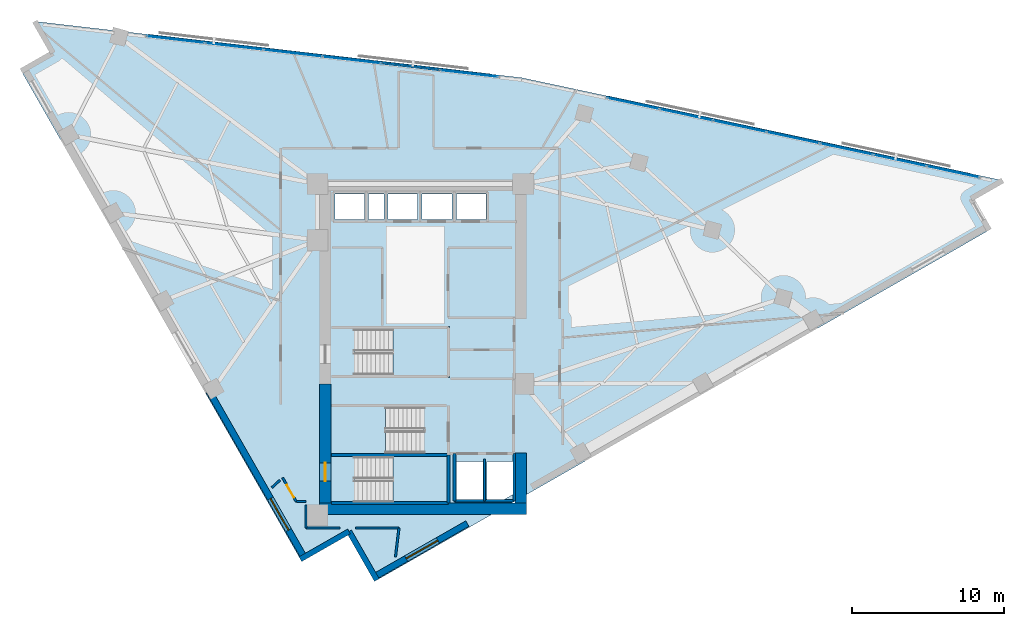
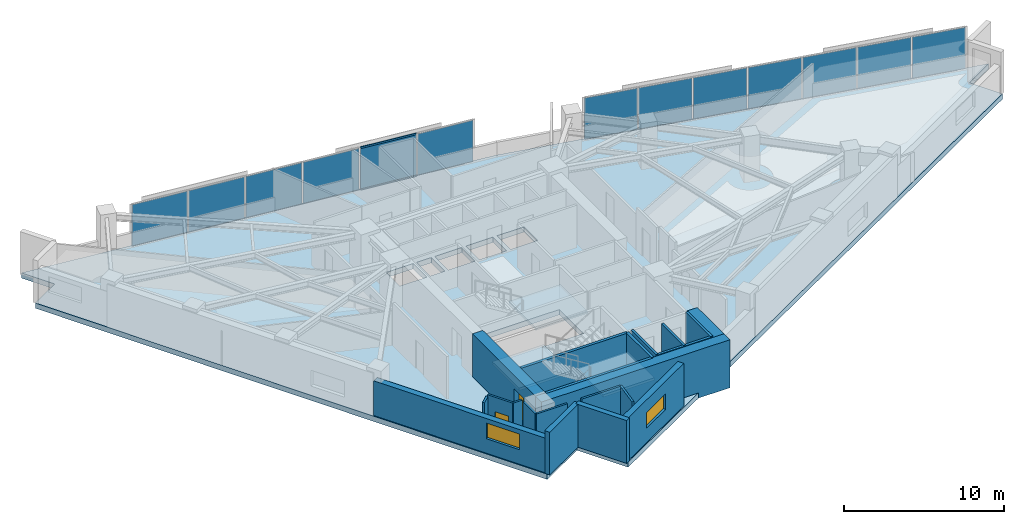
# One storey, part 8 of 13: 21 walls, 15 plates, 4 slabs, 2 doors, 2 members, 2 windows, 4 openings, 5 elements without a shape of their own.
"""IFC4 building model written with IfcOpenShell, lengths in metres."""

from ifc_helpers import new_model, si_unit, direction, frame, frame_2d, origin, origin_2d, place, context, subcontext, project, spatial, polyline, rectangle, hollow_rectangle, outline, extrude, material, layer, layer_set, material_profile, profile_set, type_object, element, fill, aggregate, save


model = new_model("IFC4")

# Units and contexts
model_context = context("Model", 3, precision=1e-05, world=origin(), true_north=direction((0.0, 1.0)))
body_context = subcontext(model_context, "Body", "Model", "MODEL_VIEW")
ifc_project = project(units=[si_unit("LENGTHUNIT", "METRE"), si_unit("AREAUNIT", "SQUARE_METRE"), si_unit("VOLUMEUNIT", "CUBIC_METRE"), si_unit("PLANEANGLEUNIT", "RADIAN"), si_unit("MASSUNIT", "GRAM", prefix="KILO")], contexts=[model_context])

# Site, building, storey
site_placement = place(None, origin())
site = spatial("IfcSite", under=ifc_project, at=site_placement, CompositionType="ELEMENT")
building_placement = place(site_placement, origin())
building = spatial("IfcBuilding", under=site, at=building_placement, Name="Narakoshi Arena Tower", CompositionType="ELEMENT")
storey_placement = place(building_placement, frame((0.0, 0.0, 200.89990234375)))
storey = spatial("IfcBuildingStorey", under=building, at=storey_placement, Name="L54", CompositionType="ELEMENT", Elevation=200.89990234375)

# Curtain wall, members
ifc_material_1 = material(Name="Anodised bronze aluminium 6063-T6", Category="aluminium")
curtain_wall_type = type_object("IfcCurtainWallType", Name="CW-HYP-MID", PredefinedType="NOTDEFINED", material=ifc_material_1)
curtain_wall_1_placement = place(storey_placement, origin())
curtain_wall_1 = element("IfcCurtainWall", 1, at=curtain_wall_1_placement, inside=storey, type_object=curtain_wall_type, Name="L54 Folded Hypotenuse Curtain Wall 2-1", PredefinedType="NOTDEFINED")
ifc_material_profile = material_profile(ifc_material_1, hollow_rectangle(XDim=0.06494140625, YDim=0.1298828125, WallThickness=0.00390625, OuterFilletRadius=0.0048828125, at=origin_2d()), Name="TRN130x65x4")
ifc_profile_set = profile_set([ifc_material_profile], Name="Anodised bronze aluminium 6063-T6")
member_type = type_object("IfcMemberType", Name="MEM-TRN-130", PredefinedType="USERDEFINED", material=ifc_profile_set)
member_1_placement = place(storey_placement, frame((80.032470703125, 64.002685546875, 0.03271484375), z_axis=(-0.993360986362, 0.115038909828, 0.0), x_axis=(-0.115038909828, -0.993360986362, 0.0)))
member_1 = element("IfcMember", 2, at=member_1_placement, type_object=member_type, Name="CW-02 transom 2.1", ObjectType="TRANSOM", PredefinedType="USERDEFINED", context=body_context, shape_type="SweptSolid", body=[
    extrude(hollow_rectangle(XDim=0.06494140625, YDim=0.1298828125, WallThickness=0.00390625, OuterFilletRadius=0.0048828125, at=origin_2d()), origin(), (0.0, 0.0, 1.0), 3.820068359375),
])
member_2_placement = place(storey_placement, frame((80.032470703125, 64.002685546875, 3.2275390625), z_axis=(-0.993360986362, 0.115038909828, 0.0), x_axis=(-0.115038909828, -0.993360986362, 0.0)))
member_2 = element("IfcMember", 3, at=member_2_placement, type_object=member_type, Name="CW-02 transom 2.2", ObjectType="TRANSOM", PredefinedType="USERDEFINED", context=body_context, shape_type="SweptSolid", body=[
    extrude(hollow_rectangle(XDim=0.06494140625, YDim=0.1298828125, WallThickness=0.00390625, OuterFilletRadius=0.0048828125, at=origin_2d()), origin(), (0.0, 0.0, 1.0), 3.820068359375),
])

# Curtain wall, plates
curtain_wall_2_placement = place(storey_placement, origin())
curtain_wall_2 = element("IfcCurtainWall", 4, at=curtain_wall_2_placement, inside=storey, type_object=curtain_wall_type, Name="L54 Folded Hypotenuse Curtain Wall 1-1", PredefinedType="NOTDEFINED")
ifc_material_2 = material(Name="Bronze-tinted low-E laminated glass", Category="glass")
ifc_layer_1 = layer(ifc_material_2, 0.0380859375)
ifc_layer_set_1 = layer_set([ifc_layer_1], Name="Bronze-tinted low-E laminated glass")
plate_type_1 = type_object("IfcPlateType", Name="PLT-GLZ-38", PredefinedType="CURTAIN_PANEL", material=ifc_layer_set_1)
plate_1_placement = place(storey_placement, frame((113.835205078125, 57.3095703125, 0.065185546875), z_axis=(0.0, 0.0, 1.0), x_axis=(-0.977937185914, 0.208899163248, 0.0)))
plate_1 = element("IfcPlate", 5, at=plate_1_placement, type_object=plate_type_1, Name="CW-02 panel 1.1", PredefinedType="CURTAIN_PANEL", context=body_context, shape_type="SweptSolid", body=[
    extrude(rectangle(XDim=3.48095703125, YDim=0.0380859375, at=origin_2d()), origin(), (0.0, 0.0, 1.0), 3.1298828125),
])
plate_2_placement = place(storey_placement, frame((110.33935546875, 58.056396484375, 0.065185546875), z_axis=(0.0, 0.0, 1.0), x_axis=(-0.977937185914, 0.208899163248, 0.0)))
plate_2 = element("IfcPlate", 6, at=plate_2_placement, type_object=plate_type_1, Name="CW-02 panel 2.1", PredefinedType="CURTAIN_PANEL", context=body_context, shape_type="SweptSolid", body=[
    extrude(rectangle(XDim=3.518310546875, YDim=0.0380859375, at=origin_2d()), origin(), (0.0, 0.0, 1.0), 3.1298828125),
])
plate_3_placement = place(storey_placement, frame((106.8251953125, 58.806884765625, 0.065185546875), z_axis=(0.0, 0.0, 1.0), x_axis=(-0.977937185914, 0.208899163248, 0.0)))
plate_3 = element("IfcPlate", 7, at=plate_3_placement, type_object=plate_type_1, Name="CW-02 panel 3.1", PredefinedType="CURTAIN_PANEL", context=body_context, shape_type="SweptSolid", body=[
    extrude(rectangle(XDim=3.518310546875, YDim=0.0380859375, at=origin_2d()), origin(), (0.0, 0.0, 1.0), 3.1298828125),
])
plate_4_placement = place(storey_placement, frame((103.31103515625, 59.5576171875, 0.065185546875), z_axis=(0.0, 0.0, 1.0), x_axis=(-0.977937185914, 0.208899163248, 0.0)))
plate_4 = element("IfcPlate", 8, at=plate_4_placement, type_object=plate_type_1, Name="CW-02 panel 4.1", PredefinedType="CURTAIN_PANEL", context=body_context, shape_type="SweptSolid", body=[
    extrude(rectangle(XDim=3.518310546875, YDim=0.0380859375, at=origin_2d()), origin(), (0.0, 0.0, 1.0), 3.1298828125),
])
plate_5_placement = place(storey_placement, frame((99.796875, 60.308349609375, 0.065185546875), z_axis=(0.0, 0.0, 1.0), x_axis=(-0.977937185914, 0.208899163248, 0.0)))
plate_5 = element("IfcPlate", 9, at=plate_5_placement, type_object=plate_type_1, Name="CW-02 panel 5.1", PredefinedType="CURTAIN_PANEL", context=body_context, shape_type="SweptSolid", body=[
    extrude(rectangle(XDim=3.518310546875, YDim=0.0380859375, at=origin_2d()), origin(), (0.0, 0.0, 1.0), 3.1298828125),
])
plate_6_placement = place(storey_placement, frame((96.282958984375, 61.058837890625, 0.065185546875), z_axis=(0.0, 0.0, 1.0), x_axis=(-0.977937185914, 0.208899163248, 0.0)))
plate_6 = element("IfcPlate", 10, at=plate_6_placement, type_object=plate_type_1, Name="CW-02 panel 6.1", PredefinedType="CURTAIN_PANEL", context=body_context, shape_type="SweptSolid", body=[
    extrude(rectangle(XDim=3.518310546875, YDim=0.0380859375, at=origin_2d()), origin(), (0.0, 0.0, 1.0), 3.1298828125),
])
plate_7_placement = place(storey_placement, frame((92.787109375, 61.8056640625, 0.065185546875), z_axis=(0.0, 0.0, 1.0), x_axis=(-0.977937185914, 0.208899163248, 0.0)))
plate_7 = element("IfcPlate", 11, at=plate_7_placement, type_object=plate_type_1, Name="CW-02 panel 7.1", PredefinedType="CURTAIN_PANEL", context=body_context, shape_type="SweptSolid", body=[
    extrude(rectangle(XDim=3.48095703125, YDim=0.0380859375, at=origin_2d()), origin(), (0.0, 0.0, 1.0), 3.1298828125),
])
aggregate(curtain_wall_2, [plate_1, plate_2, plate_3, plate_4, plate_5, plate_6, plate_7])

# Plate
plate_8_placement = place(storey_placement, frame((81.985595703125, 63.776611328125, 0.065185546875), z_axis=(0.0, 0.0, 1.0), x_axis=(-0.993364183774, 0.115011296816, 0.0)))
plate_8 = element("IfcPlate", 12, at=plate_8_placement, type_object=plate_type_1, Name="CW-02 panel 1.1", PredefinedType="CURTAIN_PANEL", context=body_context, shape_type="SweptSolid", body=[
    extrude(rectangle(XDim=3.782470703125, YDim=0.0380859375, at=origin_2d()), origin(), (0.0, 0.0, 1.0), 3.1298828125),
])

plate_9_placement = place(storey_placement, frame((78.13525390625, 64.222412109375, 0.065185546875), z_axis=(0.0, 0.0, 1.0), x_axis=(-0.993364183774, 0.115011296816, 0.0)))
plate_9 = element("IfcPlate", 13, at=plate_9_placement, type_object=plate_type_1, Name="CW-02 panel 2.1", PredefinedType="CURTAIN_PANEL", context=body_context, shape_type="SweptSolid", body=[
    extrude(rectangle(XDim=3.820068359375, YDim=0.0380859375, at=origin_2d()), origin(), (0.0, 0.0, 1.0), 3.1298828125),
])

plate_10_placement = place(storey_placement, frame((74.26611328125, 64.67041015625, 0.065185546875), z_axis=(0.0, 0.0, 1.0), x_axis=(-0.993364183774, 0.115011296816, 0.0)))
plate_10 = element("IfcPlate", 14, at=plate_10_placement, type_object=plate_type_1, Name="CW-02 panel 3.1", PredefinedType="CURTAIN_PANEL", context=body_context, shape_type="SweptSolid", body=[
    extrude(rectangle(XDim=3.820068359375, YDim=0.0380859375, at=origin_2d()), origin(), (0.0, 0.0, 1.0), 3.1298828125),
])

plate_11_placement = place(storey_placement, frame((70.39697265625, 65.118408203125, 0.065185546875), z_axis=(0.0, 0.0, 1.0), x_axis=(-0.993364183774, 0.115011296816, 0.0)))
plate_11 = element("IfcPlate", 15, at=plate_11_placement, type_object=plate_type_1, Name="CW-02 panel 4.1", PredefinedType="CURTAIN_PANEL", context=body_context, shape_type="SweptSolid", body=[
    extrude(rectangle(XDim=3.820068359375, YDim=0.0380859375, at=origin_2d()), origin(), (0.0, 0.0, 1.0), 3.1298828125),
])

plate_12_placement = place(storey_placement, frame((66.52783203125, 65.56640625, 0.065185546875), z_axis=(0.0, 0.0, 1.0), x_axis=(-0.993364183774, 0.115011296816, 0.0)))
plate_12 = element("IfcPlate", 16, at=plate_12_placement, type_object=plate_type_1, Name="CW-02 panel 5.1", PredefinedType="CURTAIN_PANEL", context=body_context, shape_type="SweptSolid", body=[
    extrude(rectangle(XDim=3.820068359375, YDim=0.0380859375, at=origin_2d()), origin(), (0.0, 0.0, 1.0), 3.1298828125),
])

plate_13_placement = place(storey_placement, frame((62.67724609375, 66.01220703125, 0.065185546875), z_axis=(0.0, 0.0, 1.0), x_axis=(-0.993364183774, 0.115011296816, 0.0)))
plate_13 = element("IfcPlate", 17, at=plate_13_placement, type_object=plate_type_1, Name="CW-02 panel 6.1", PredefinedType="CURTAIN_PANEL", context=body_context, shape_type="SweptSolid", body=[
    extrude(rectangle(XDim=3.782470703125, YDim=0.0380859375, at=origin_2d()), origin(), (0.0, 0.0, 1.0), 3.1298828125),
])

aggregate(curtain_wall_1, [plate_8, member_1, member_2, plate_9, plate_10, plate_11, plate_12, plate_13])

# Plates
ifc_layer_2 = layer(ifc_material_1, 0.090087890625)
ifc_layer_set_2 = layer_set([ifc_layer_2], Name="Anodised bronze aluminium 6063-T6")
plate_type_2 = type_object("IfcPlateType", Name="PLT-SPD-90", PredefinedType="SHEET", material=ifc_layer_set_2)
plate_14_placement = place(storey_placement, frame((103.10791015625, 59.682861328125, -0.369873046875), z_axis=(0.0, 0.0, 1.0), x_axis=(-0.977936632473, 0.208901754101, 0.0)))
element("IfcPlate", 18, at=plate_14_placement, inside=storey, type_object=plate_type_2, Name="L54 Transfer Fascia Bronze Spandrel Panel 1", PredefinedType="SHEET", context=body_context, shape_type="SweptSolid", body=[
    extrude(rectangle(XDim=24.40380859375, YDim=0.090087890625, at=origin_2d()), origin(), (0.0, 0.0, 1.0), 0.3798828125),
])
plate_15_placement = place(storey_placement, frame((72.1171875, 64.999755859375, -0.369873046875), z_axis=(0.0, 0.0, 1.0), x_axis=(-0.993364739053, 0.115006500715, 0.0)))
element("IfcPlate", 19, at=plate_15_placement, inside=storey, type_object=plate_type_2, Name="L54 Transfer Fascia Bronze Spandrel Panel 2", PredefinedType="SHEET", context=body_context, shape_type="SweptSolid", body=[
    extrude(rectangle(XDim=22.619873046875, YDim=0.090087890625, at=origin_2d()), origin(), (0.0, 0.0, 1.0), 0.3798828125),
])

# Slab
ifc_material_3 = material(Name="Concrete C45/55", Category="concrete")
ifc_layer_3 = layer(ifc_material_3, 0.39990234375)
ifc_layer_set_3 = layer_set([ifc_layer_3], Name="Concrete C45/55")
slab_type_1 = type_object("IfcSlabType", Name="SLB-CONC-400", PredefinedType="FLOOR", material=ifc_layer_set_3)
slab_1_placement = place(storey_placement, frame((0.0, 0.0, -0.39990234375)))
element("IfcSlab", 20, at=slab_1_placement, inside=storey, type_object=slab_type_1, Name="L54 Structural Floor Slab", PredefinedType="FLOOR", context=body_context, shape_type="SweptSolid", body=[
    extrude(outline(polyline([(75.915771484375, 30.43017578125), (116.209716796875, 53.460205078125), (115.01904296875, 55.54345703125), (117.1025390625, 56.734375), (85.442626953125, 63.497314453125), (53.408203125, 67.2060546875), (54.59912109375, 65.122802734375), (52.515625, 63.931884765625), (70.87841796875, 31.803466796875), (74.083740234375, 33.635498046875), (75.915771484375, 30.43017578125)]), holes=[polyline([(80.5, 35.550048828125), (74.47998046875, 35.550048828125), (74.47998046875, 38.550048828125), (80.5, 38.550048828125), (80.5, 35.550048828125)]), polyline([(82.89990234375, 35.75), (81.14990234375, 35.75), (81.14990234375, 38.25), (82.89990234375, 38.25), (82.89990234375, 35.75)]), polyline([(84.89990234375, 36.08349609375), (84.316650390625, 35.75), (83.14990234375, 35.75), (83.14990234375, 38.25), (84.89990234375, 38.25), (84.89990234375, 36.08349609375)]), polyline([(72.949951171875, 38.800048828125), (72.949951171875, 41.800048828125), (78.969970703125, 41.800048828125), (78.969970703125, 38.800048828125), (72.949951171875, 38.800048828125)]), polyline([(74.47998046875, 43.949951171875), (74.47998046875, 46.949951171875), (80.5, 46.949951171875), (80.5, 43.949951171875), (74.47998046875, 43.949951171875)]), polyline([(75.10009765625, 54.14990234375), (73.14990234375, 54.14990234375), (73.14990234375, 55.85009765625), (75.10009765625, 55.85009765625), (75.10009765625, 54.14990234375)]), polyline([(76.39990234375, 54.14990234375), (75.35009765625, 54.14990234375), (75.35009765625, 55.85009765625), (76.39990234375, 55.85009765625), (76.39990234375, 54.14990234375)]), polyline([(78.60009765625, 54.14990234375), (76.64990234375, 54.14990234375), (76.64990234375, 55.85009765625), (78.60009765625, 55.85009765625), (78.60009765625, 54.14990234375)]), polyline([(78.89990234375, 54.14990234375), (78.89990234375, 55.85009765625), (80.85009765625, 55.85009765625), (80.85009765625, 54.14990234375), (78.89990234375, 54.14990234375)]), polyline([(81.14990234375, 54.14990234375), (81.14990234375, 55.85009765625), (83.10009765625, 55.85009765625), (83.10009765625, 54.14990234375), (81.14990234375, 54.14990234375)])]), origin(), (0.0, 0.0, 1.0), 0.39990234375),
])

# Stair, slab
stair_type = type_object("IfcStairType", Name="STR-CORE-352", PredefinedType="TWO_STRAIGHT_RUN_STAIR", material=ifc_material_3)
stair_1_placement = place(storey_placement, origin())
stair_1 = element("IfcStair", 21, at=stair_1_placement, inside=storey, type_object=stair_type, Name="L54 Core Escape Stair ST1", PredefinedType="TWO_STRAIGHT_RUN_STAIR")
ifc_layer_4 = layer(ifc_material_3, 0.18994140625)
ifc_layer_set_4 = layer_set([ifc_layer_4], Name="Concrete C45/55")
slab_type_2 = type_object("IfcSlabType", Name="SLB-LND-190", PredefinedType="LANDING", material=ifc_layer_set_4)
slab_2_placement = place(storey_placement, frame((0.0, 0.0, 1.570068359375)))
slab_2 = element("IfcSlab", 22, at=slab_2_placement, type_object=slab_type_2, Name="ST1 landing 1", PredefinedType="LANDING", context=body_context, shape_type="SweptSolid", body=[
    extrude(outline(polyline([(76.965087890625, 35.3701171875), (80.679931640625, 35.3701171875), (80.679931640625, 38.72998046875), (76.965087890625, 38.72998046875), (76.965087890625, 35.3701171875)])), origin(), (0.0, 0.0, 1.0), 0.18994140625),
])
aggregate(stair_1, [slab_2])

stair_2_placement = place(storey_placement, origin())
stair_2 = element("IfcStair", 23, at=stair_2_placement, inside=storey, type_object=stair_type, Name="L54 Core Escape Stair ST2", PredefinedType="TWO_STRAIGHT_RUN_STAIR")
slab_3_placement = place(storey_placement, frame((0.0, 0.0, 1.570068359375)))
slab_3 = element("IfcSlab", 24, at=slab_3_placement, type_object=slab_type_2, Name="ST2 landing 1", PredefinedType="LANDING", context=body_context, shape_type="SweptSolid", body=[
    extrude(outline(polyline([(72.77001953125, 38.6201171875), (76.485107421875, 38.6201171875), (76.485107421875, 41.97998046875), (72.77001953125, 41.97998046875), (72.77001953125, 38.6201171875)])), origin(), (0.0, 0.0, 1.0), 0.18994140625),
])
aggregate(stair_2, [slab_3])

stair_3_placement = place(storey_placement, origin())
stair_3 = element("IfcStair", 25, at=stair_3_placement, inside=storey, type_object=stair_type, Name="L54 Core Escape Stair ST3", PredefinedType="TWO_STRAIGHT_RUN_STAIR")
slab_4_placement = place(storey_placement, frame((0.0, 0.0, 1.570068359375)))
slab_4 = element("IfcSlab", 26, at=slab_4_placement, type_object=slab_type_2, Name="ST3 landing 1", PredefinedType="LANDING", context=body_context, shape_type="SweptSolid", body=[
    extrude(outline(polyline([(76.965087890625, 43.77001953125), (80.679931640625, 43.77001953125), (80.679931640625, 47.1298828125), (76.965087890625, 47.1298828125), (76.965087890625, 43.77001953125)])), origin(), (0.0, 0.0, 1.0), 0.18994140625),
])
aggregate(stair_3, [slab_4])

# Wall, opening, door
ifc_material_4 = material(Name="Concrete C50/60", Category="concrete")
ifc_layer_5 = layer(ifc_material_4, 0.75)
ifc_layer_set_5 = layer_set([ifc_layer_5], Name="Concrete C50/60")
wall_type_1 = type_object("IfcWallType", Name="WL-CORE-750", PredefinedType="SHEAR", material=ifc_layer_set_5)
wall_1_placement = place(storey_placement, frame((72.52490234375, 35.5, -0.39990234375), z_axis=(0.0, 0.0, 1.0), x_axis=(0.0, 1.0, 0.0)))
wall_1 = element("IfcWall", 27, at=wall_1_placement, inside=storey, type_object=wall_type_1, Name="L54 Central Core Shear Wall CW-APX-W", PredefinedType="SHEAR", context=body_context, shape_type="SweptSolid", body=[
    extrude(rectangle(XDim=7.85009765625, YDim=0.75, at=frame_2d((3.925048828125, 0.0))), origin(), (0.0, 0.0, 1.0), 3.659912109375),
])
opening_1_placement = place(wall_1_placement, frame((1.449951171875, 0.0, 0.39990234375)))
opening_1 = element("IfcOpeningElement", 28, at=opening_1_placement, cuts=wall_1, Name="Opening D-03", PredefinedType="OPENING", context=body_context, shape_type="SweptSolid", body=[
    extrude(rectangle(XDim=1.199951171875, YDim=2.199951171875, at=frame_2d((0.60009765625, 1.10009765625))), frame((0.0, 0.385009765625, 0.0), z_axis=(0.0, -1.0, 0.0), x_axis=(1.0, 0.0, 0.0)), (0.0, 0.0, 1.0), 0.77001953125),
])
ifc_material_5 = material(Name="Painted galvanized steel", Category="steel")
door_type_1 = type_object("IfcDoorType", Name="DR-STR-1200", OperationType="NOTDEFINED", PredefinedType="USERDEFINED", material=ifc_material_5)
door_1_placement = place(opening_1_placement, frame((1.199951171875, 0.0, 0.0), z_axis=(0.0, 0.0, 1.0), x_axis=(-1.0, 0.0, 0.0)))
door_1 = element("IfcDoor", 29, at=door_1_placement, inside=storey, type_object=door_type_1, Name="DR-L54-001", ObjectType="EXITDOOR", OperationType="SINGLE_SWING_LEFT", OverallHeight=2.199951171875, OverallWidth=1.199951171875, PredefinedType="USERDEFINED", context=body_context, shape_type="SweptSolid", body=[
    extrude(rectangle(XDim=1.199951171875, YDim=2.199951171875, at=frame_2d((0.60009765625, 1.10009765625))), frame((0.0, 0.02490234375, 0.0), z_axis=(0.0, -1.0, 0.0), x_axis=(1.0, 0.0, 0.0)), (0.0, 0.0, 1.0), 0.050048828125),
])
fill(opening_1, door_1)

# Walls
wall_2_placement = place(storey_placement, frame((72.14990234375, 35.125, -0.39990234375), z_axis=(0.0, 0.0, 1.0), x_axis=(1.0, 0.0, 0.0)))
element("IfcWall", 30, at=wall_2_placement, inside=storey, type_object=wall_type_1, Name="L54 Central Core Shear Wall CW-APX-S", PredefinedType="SHEAR", context=body_context, shape_type="SweptSolid", body=[
    extrude(rectangle(XDim=13.60009765625, YDim=0.75, at=frame_2d((6.800048828125, 0.0))), origin(), (0.0, 0.0, 1.0), 3.659912109375),
])
wall_3_placement = place(storey_placement, frame((85.375, 35.5, -0.39990234375), z_axis=(0.0, 0.0, 1.0), x_axis=(0.0, 1.0, 0.0)))
element("IfcWall", 31, at=wall_3_placement, inside=storey, type_object=wall_type_1, Name="L54 Central Core Shear Wall CW-APX-E", PredefinedType="SHEAR", context=body_context, shape_type="SweptSolid", body=[
    extrude(rectangle(XDim=3.300048828125, YDim=0.75, at=frame_2d((1.64990234375, 0.0))), origin(), (0.0, 0.0, 1.0), 3.659912109375),
])

# Wall, opening, window
ifc_material_6 = material(Name="Precast concrete C45/55", Category="concrete")
ifc_layer_6 = layer(ifc_material_6, 0.419921875)
ifc_layer_set_6 = layer_set([ifc_layer_6], Name="Precast concrete C45/55")
wall_type_2 = type_object("IfcWallType", Name="WL-POD-420", PredefinedType="SOLIDWALL", material=ifc_layer_set_6)
wall_4_placement = place(storey_placement, frame((75.779296875, 30.6689453125, 0.0), z_axis=(0.0, 0.0, 1.0), x_axis=(0.868213158215, 0.496191406519, 0.0)))
wall_4 = element("IfcWall", 32, at=wall_4_placement, inside=storey, type_object=wall_type_2, Name="L54 Architectural Concrete Facade Wall LEGA-1", PredefinedType="SOLIDWALL", context=body_context, shape_type="SweptSolid", body=[
    extrude(rectangle(XDim=7.015380859375, YDim=0.419921875, at=frame_2d((3.5078125, 0.0))), origin(), (0.0, 0.0, 1.0), 3.260009765625),
])
opening_2_placement = place(wall_4_placement, frame((2.376708984375, 0.0, 1.10009765625)))
opening_2 = element("IfcOpeningElement", 33, at=opening_2_placement, cuts=wall_4, Name="Opening WN-04", PredefinedType="OPENING", context=body_context, shape_type="SweptSolid", body=[
    extrude(rectangle(XDim=2.39990234375, YDim=1.199951171875, at=frame_2d((1.199951171875, 0.60009765625))), frame((0.0, 0.219970703125, 0.0), z_axis=(0.0, -1.0, 0.0), x_axis=(1.0, 0.0, 0.0)), (0.0, 0.0, 1.0), 0.43994140625),
])
window_type = type_object("IfcWindowType", Name="WIN-SLT-24x12", PartitioningType="SINGLE_PANEL", PredefinedType="WINDOW", material=ifc_material_2)
window_1_placement = place(opening_2_placement, origin())
window_1 = element("IfcWindow", 34, at=window_1_placement, inside=storey, type_object=window_type, Name="L54 LEGA1 Horizontal Slot Window 1", OverallHeight=1.199951171875, OverallWidth=2.39990234375, PartitioningType="SINGLE_PANEL", PredefinedType="WINDOW", context=body_context, shape_type="SweptSolid", body=[
    extrude(rectangle(XDim=2.39990234375, YDim=1.199951171875, at=frame_2d((1.199951171875, 0.60009765625))), frame((0.0, 0.030029296875, 0.0), z_axis=(0.0, -1.0, 0.0), x_axis=(1.0, 0.0, 0.0)), (0.0, 0.0, 1.0), 0.06005859375),
])
fill(opening_2, window_1)

wall_5_placement = place(storey_placement, frame((64.873779296875, 42.863525390625, 0.0), z_axis=(0.0, 0.0, 1.0), x_axis=(0.49622043329, -0.868196568517, 0.0)))
wall_5 = element("IfcWall", 35, at=wall_5_placement, inside=storey, type_object=wall_type_2, Name="L54 Architectural Concrete Facade Wall LEGB-3", PredefinedType="SOLIDWALL", context=body_context, shape_type="SweptSolid", body=[
    extrude(rectangle(XDim=12.58203125, YDim=0.419921875, at=frame_2d((6.291015625, 0.0))), origin(), (0.0, 0.0, 1.0), 2.64501953125),
])
opening_3_placement = place(wall_5_placement, frame((8.135986328125, 0.0, 1.10009765625)))
opening_3 = element("IfcOpeningElement", 36, at=opening_3_placement, cuts=wall_5, Name="Opening WN-04", PredefinedType="OPENING", context=body_context, shape_type="SweptSolid", body=[
    extrude(rectangle(XDim=2.39990234375, YDim=1.199951171875, at=frame_2d((1.199951171875, 0.60009765625))), frame((0.0, 0.219970703125, 0.0), z_axis=(0.0, -1.0, 0.0), x_axis=(1.0, 0.0, 0.0)), (0.0, 0.0, 1.0), 0.43994140625),
])
window_2_placement = place(opening_3_placement, origin())
window_2 = element("IfcWindow", 37, at=window_2_placement, inside=storey, type_object=window_type, Name="L54 LEGB3 Horizontal Slot Window 1", OverallHeight=1.199951171875, OverallWidth=2.39990234375, PartitioningType="SINGLE_PANEL", PredefinedType="WINDOW", context=body_context, shape_type="SweptSolid", body=[
    extrude(rectangle(XDim=2.39990234375, YDim=1.199951171875, at=frame_2d((1.199951171875, 0.60009765625))), frame((0.0, 0.030029296875, 0.0), z_axis=(0.0, -1.0, 0.0), x_axis=(1.0, 0.0, 0.0)), (0.0, 0.0, 1.0), 0.06005859375),
])
fill(opening_3, window_2)

# Walls
for number, where, z_axis, x_axis, name in (
    (38, (70.87841796875, 31.803466796875, 0.0), (0.0, 0.0, 1.0), (0.868194304946, 0.496224393656, 0.0), "L54 Re-Entrant Corner Notch Wall NTA-1"),
    (39, (74.083740234375, 33.635498046875, 0.0), (0.0, 0.0, 1.0), (0.496224393656, -0.868194304946, 0.0), "L54 Re-Entrant Corner Notch Wall NTA-2"),
):
    element("IfcWall", number, at=place(storey_placement, frame(where, z_axis=z_axis, x_axis=x_axis)), inside=storey, type_object=wall_type_2, Name=name, PredefinedType="SOLIDWALL", context=body_context, shape_type="SweptSolid", body=[
        extrude(rectangle(XDim=3.69189453125, YDim=0.360107421875, at=frame_2d((1.845947265625, 0.0))), origin(), (0.0, 0.0, 1.0), 3.260009765625),
    ])
ifc_material_7 = material(Name="Concrete C40/50", Category="concrete")
ifc_layer_7 = layer(ifc_material_7, 0.280029296875)
ifc_layer_set_7 = layer_set([ifc_layer_7], Name="Concrete C40/50")
wall_type_3 = type_object("IfcWallType", Name="WL-RISER-280", PredefinedType="PLUMBINGWALL", material=ifc_layer_set_7)
wall_6_placement = place(storey_placement, frame((83.0, 35.64990234375, 0.0), z_axis=(0.0, 0.0, 1.0), x_axis=(0.0, 1.0, 0.0)))
element("IfcWall", 40, at=wall_6_placement, inside=storey, type_object=wall_type_3, Name="L54 Core Wall FF-DIV", PredefinedType="PLUMBINGWALL", context=body_context, shape_type="SweptSolid", body=[
    extrude(rectangle(XDim=2.75, YDim=0.159912109375, at=frame_2d((1.375, 0.0))), origin(), (0.0, 0.0, 1.0), 3.260009765625),
])
ifc_layer_8 = layer(ifc_material_4, 0.35009765625)
ifc_layer_set_8 = layer_set([ifc_layer_8], Name="Concrete C50/60")
wall_type_4 = type_object("IfcWallType", Name="WL-SHAFT-350", PredefinedType="SOLIDWALL", material=ifc_layer_set_8)
for number, where, z_axis, x_axis, name in (
    (41, (72.919921875, 35.52001953125, -0.39990234375), (0.0, 0.0, 1.0), (1.0, 0.0, 0.0), "L54 Core Wall ST1-S"),
    (42, (72.919921875, 38.675048828125, -0.39990234375), (0.0, 0.0, 1.0), (1.0, 0.0, 0.0), "L54 Core Wall ST12-DIV"),
):
    element("IfcWall", number, at=place(storey_placement, frame(where, z_axis=z_axis, x_axis=x_axis)), inside=storey, type_object=wall_type_4, Name=name, PredefinedType="SOLIDWALL", context=body_context, shape_type="SweptSolid", body=[
        extrude(rectangle(XDim=7.7001953125, YDim=0.199951171875, at=frame_2d((3.85009765625, 0.0))), origin(), (0.0, 0.0, 1.0), 3.659912109375),
    ])
wall_7_placement = place(storey_placement, frame((80.6201171875, 35.52001953125, -0.39990234375), z_axis=(0.0, 0.0, 1.0), x_axis=(0.0, 1.0, 0.0)))
element("IfcWall", 43, at=wall_7_placement, inside=storey, type_object=wall_type_4, Name="L54 Core Wall ST1-E", PredefinedType="SOLIDWALL", context=body_context, shape_type="SweptSolid", body=[
    extrude(rectangle(XDim=3.155029296875, YDim=0.199951171875, at=frame_2d((1.57763671875, 0.0))), origin(), (0.0, 0.0, 1.0), 3.659912109375),
])
for number, where, z_axis, x_axis, name in (
    (44, (84.949951171875, 35.64990234375, 0.0), (0.0, 0.0, 1.0), (0.0, 1.0, 0.0), "L54 Core Wall FF-E"),
    (45, (81.02001953125, 35.64990234375, 0.0), (0.0, 0.0, 1.0), (0.0, 1.0, 0.0), "L54 Core Wall FF-W"),
):
    element("IfcWall", number, at=place(storey_placement, frame(where, z_axis=z_axis, x_axis=x_axis)), inside=storey, type_object=wall_type_4, Name=name, PredefinedType="SOLIDWALL", context=body_context, shape_type="SweptSolid", body=[
        extrude(rectangle(XDim=3.10009765625, YDim=0.179931640625, at=frame_2d((1.550048828125, 0.0))), origin(), (0.0, 0.0, 1.0), 3.260009765625),
    ])
wall_8_placement = place(storey_placement, frame((81.02001953125, 35.64990234375, 0.0), z_axis=(0.0, 0.0, 1.0), x_axis=(1.0, 0.0, 0.0)))
element("IfcWall", 46, at=wall_8_placement, inside=storey, type_object=wall_type_4, Name="L54 Core Wall FF-S", PredefinedType="SOLIDWALL", context=body_context, shape_type="SweptSolid", body=[
    extrude(rectangle(XDim=3.929931640625, YDim=0.179931640625, at=frame_2d((1.96484375, 0.0))), origin(), (0.0, 0.0, 1.0), 3.260009765625),
])

# Wall, opening, door
ifc_material_8 = material(Name="Moisture-resistant cement-board partition")
ifc_layer_9 = layer(ifc_material_8, 0.14501953125)
ifc_layer_set_9 = layer_set([ifc_layer_9], Name="Moisture-resistant cement-board partition")
wall_type_5 = type_object("IfcWallType", Name="WL-WET-145", PredefinedType="PARTITIONING", material=ifc_layer_set_9)
wall_9_placement = place(storey_placement, frame((69.7109375, 37.171142578125, 0.0), z_axis=(0.0, 0.0, 1.0), x_axis=(0.4963277983, -0.868135194906, 0.0)))
wall_9 = element("IfcWall", 47, at=wall_9_placement, inside=storey, type_object=wall_type_5, Name="L54 Corridor Partition 01-1", PredefinedType="PARTITIONING", context=body_context, shape_type="SweptSolid", body=[
    extrude(rectangle(XDim=1.8095703125, YDim=0.14501953125, at=frame_2d((0.90478515625, 0.0))), origin(), (0.0, 0.0, 1.0), 3.260009765625),
])
opening_4_placement = place(wall_9_placement, frame((0.55859375, 0.0, 0.0)))
opening_4 = element("IfcOpeningElement", 48, at=opening_4_placement, cuts=wall_9, Name="Opening D-07", PredefinedType="OPENING", context=body_context, shape_type="SweptSolid", body=[
    extrude(rectangle(XDim=0.949951171875, YDim=2.14990234375, at=frame_2d((0.47509765625, 1.074951171875))), frame((0.0, 0.08251953125, 0.0), z_axis=(0.0, -1.0, 0.0), x_axis=(1.0, 0.0, 0.0)), (0.0, 0.0, 1.0), 0.1650390625),
])
ifc_material_9 = material(Name="Stained oak solid-core timber", Category="wood")
door_type_2 = type_object("IfcDoorType", Name="DR-ACC-950", OperationType="NOTDEFINED", PredefinedType="DOOR", material=ifc_material_9)
door_2_placement = place(opening_4_placement, frame((0.949951171875, 0.0, 0.0), z_axis=(0.0, 0.0, 1.0), x_axis=(-1.0, 0.0, 0.0)))
door_2 = element("IfcDoor", 49, at=door_2_placement, inside=storey, type_object=door_type_2, Name="DR-L54-014", OperationType="SINGLE_SWING_LEFT", OverallHeight=2.14990234375, OverallWidth=0.949951171875, PredefinedType="DOOR", context=body_context, shape_type="SweptSolid", body=[
    extrude(rectangle(XDim=0.949951171875, YDim=2.14990234375, at=frame_2d((0.47509765625, 1.074951171875))), frame((0.0, 0.02490234375, 0.0), z_axis=(0.0, -1.0, 0.0), x_axis=(1.0, 0.0, 0.0)), (0.0, 0.0, 1.0), 0.050048828125),
])
fill(opening_4, door_2)

# Walls
wall_10_placement = place(storey_placement, frame((70.609130859375, 35.60009765625, 0.0), z_axis=(0.0, 0.0, 1.0), x_axis=(1.0, 0.0, 0.0)))
element("IfcWall", 50, at=wall_10_placement, inside=storey, type_object=wall_type_5, Name="L54 Corridor Partition 01-2", PredefinedType="PARTITIONING", context=body_context, shape_type="SweptSolid", body=[
    extrude(rectangle(XDim=0.640869140625, YDim=0.14501953125, at=frame_2d((0.3203125, 0.0))), origin(), (0.0, 0.0, 1.0), 3.260009765625),
])
wall_11_placement = place(storey_placement, frame((71.25, 35.367431640625, 0.0), z_axis=(0.0, 0.0, 1.0), x_axis=(0.0, -1.0, 0.0)))
element("IfcWall", 51, at=wall_11_placement, inside=storey, type_object=wall_type_5, Name="L54 Room Enclosure Partition 01-1", PredefinedType="PARTITIONING", context=body_context, shape_type="SweptSolid", body=[
    extrude(rectangle(XDim=1.517333984375, YDim=0.14501953125, at=frame_2d((0.7587890625, 0.0))), origin(), (0.0, 0.0, 1.0), 3.260009765625),
])
wall_12_placement = place(storey_placement, frame((71.25, 33.85009765625, 0.0), z_axis=(0.0, 0.0, 1.0), x_axis=(1.0, 0.0, 0.0)))
element("IfcWall", 52, at=wall_12_placement, inside=storey, type_object=wall_type_5, Name="L54 Room Enclosure Partition 01-2", PredefinedType="PARTITIONING", context=body_context, shape_type="SweptSolid", body=[
    extrude(rectangle(XDim=2.241943359375, YDim=0.14501953125, at=frame_2d((1.12109375, 0.0))), origin(), (0.0, 0.0, 1.0), 3.260009765625),
])
wall_13_placement = place(storey_placement, frame((74.513916015625, 33.85009765625, 0.0), z_axis=(0.0, 0.0, 1.0), x_axis=(1.0, 0.0, 0.0)))
element("IfcWall", 53, at=wall_13_placement, inside=storey, type_object=wall_type_5, Name="L54 Room Enclosure Partition 01-3", PredefinedType="PARTITIONING", context=body_context, shape_type="SweptSolid", body=[
    extrude(rectangle(XDim=2.85498046875, YDim=0.14501953125, at=frame_2d((1.427490234375, 0.0))), origin(), (0.0, 0.0, 1.0), 3.260009765625),
])
wall_14_placement = place(storey_placement, frame((77.368896484375, 33.85009765625, 0.0), z_axis=(0.0, 0.0, 1.0), x_axis=(-0.119971178943, -0.992777374955, 0.0)))
element("IfcWall", 54, at=wall_14_placement, inside=storey, type_object=wall_type_5, Name="L54 Room Enclosure Partition 01-4", PredefinedType="PARTITIONING", context=body_context, shape_type="SweptSolid", body=[
    extrude(rectangle(XDim=1.923095703125, YDim=0.14501953125, at=frame_2d((0.96142578125, 0.0))), origin(), (0.0, 0.0, 1.0), 3.260009765625),
])
wall_15_placement = place(storey_placement, frame((68.999267578125, 36.51220703125, 0.0), z_axis=(0.0, 0.0, 1.0), x_axis=(0.733791493526, 0.679374744916, 0.0)))
element("IfcWall", 55, at=wall_15_placement, inside=storey, type_object=wall_type_5, Name="L54 Room Enclosure Partition 01-5", PredefinedType="PARTITIONING", context=body_context, shape_type="SweptSolid", body=[
    extrude(rectangle(XDim=0.731201171875, YDim=0.14501953125, at=frame_2d((0.36572265625, 0.0))), origin(), (0.0, 0.0, 1.0), 3.260009765625),
])

save(model, "model.ifc")
